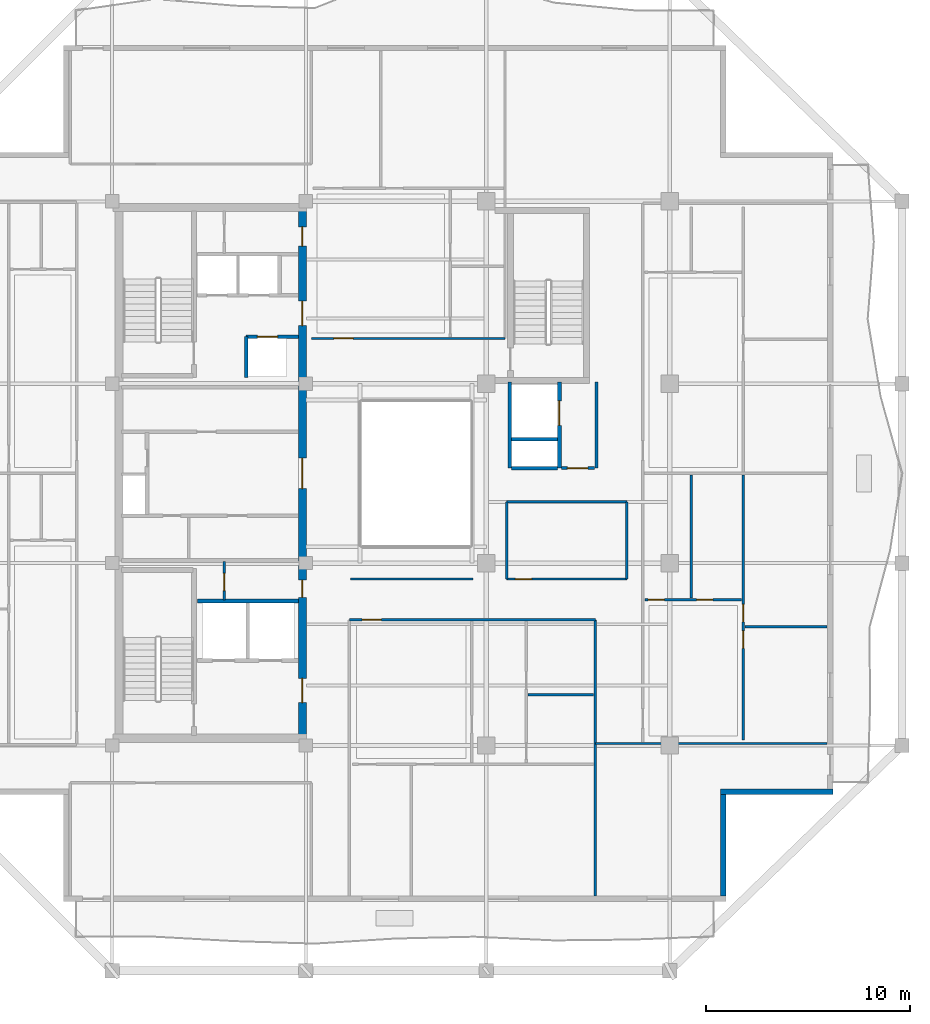
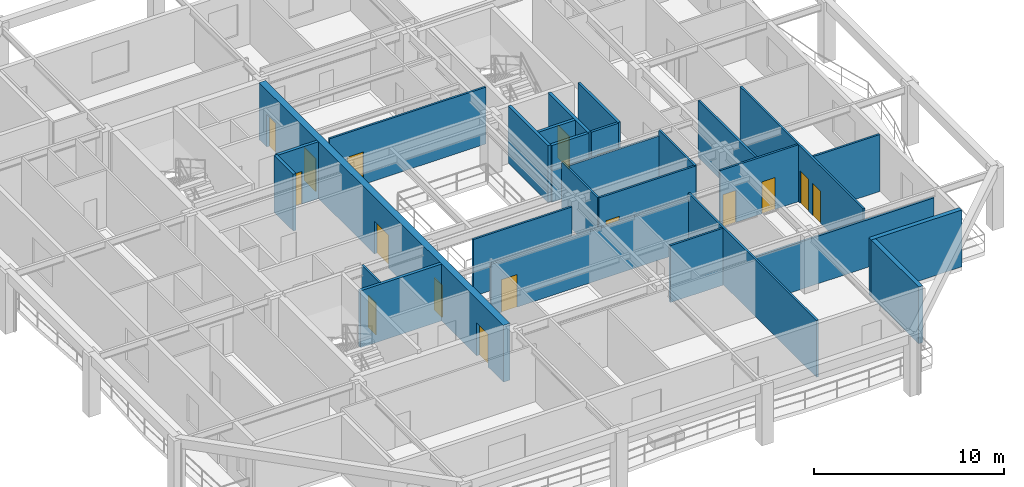
# One storey, part 4 of 11: 27 walls, 16 doors, 16 openings.
"""IFC4 building model written with IfcOpenShell, lengths in metres."""

from ifc_helpers import new_model, si_unit, direction, frame, frame_2d, origin, place, context, subcontext, project, spatial, rectangle, extrude, material, layer, layer_set, type_object, element, fill, save


model = new_model("IFC4")

# Units and contexts
model_context = context("Model", 3, precision=1e-05, world=origin(), true_north=direction((0.0, 1.0)))
body_context = subcontext(model_context, "Body", "Model", "MODEL_VIEW")
ifc_project = project(units=[si_unit("LENGTHUNIT", "METRE"), si_unit("AREAUNIT", "SQUARE_METRE"), si_unit("VOLUMEUNIT", "CUBIC_METRE"), si_unit("PLANEANGLEUNIT", "RADIAN"), si_unit("MASSUNIT", "GRAM", prefix="KILO")], contexts=[model_context])

# Site, building, storey
site_placement = place(None, origin())
site = spatial("IfcSite", under=ifc_project, at=site_placement, CompositionType="ELEMENT")
building_placement = place(site_placement, origin())
building = spatial("IfcBuilding", under=site, at=building_placement, Name="Kundavana Baori Tower", CompositionType="ELEMENT")
storey_placement = place(building_placement, frame((0.0, 0.0, 218.0)))
storey = spatial("IfcBuildingStorey", under=building, at=storey_placement, Name="L53", CompositionType="ELEMENT", Elevation=218.0)

# Wall, openings, doors
ifc_material_1 = material(Name="Concrete C50/60", Category="concrete")
ifc_layer_1 = layer(ifc_material_1, 0.39990234375, Name="WL-CORE-400")
ifc_layer_set_1 = layer_set([ifc_layer_1], Name="Concrete C50/60")
wall_type_1 = type_object("IfcWallType", Name="WL-CORE-400", PredefinedType="SHEAR", material=ifc_layer_set_1)
wall_1_placement = place(storey_placement, frame((24.780029296875, 15.739990234375, 0.0), z_axis=(0.0, 0.0, 1.0), x_axis=(0.0, 1.0, 0.0)))
wall_1 = element("IfcWall", 1, at=wall_1_placement, inside=storey, type_object=wall_type_1, Name="L53 Offset Core East Shear Wall", PredefinedType="SHEAR", context=body_context, shape_type="SweptSolid", body=[
    extrude(rectangle(XDim=25.760009765625, YDim=0.39990234375, at=frame_2d((12.8798828125, 0.0))), origin(), (0.0, 0.0, 1.0), 3.659912109375),
])
opening_1_placement = place(wall_1_placement, frame((1.610107421875, 0.0, 0.0)))
opening_1 = element("IfcOpeningElement", 2, at=opening_1_placement, cuts=wall_1, Name="Opening FD-120", PredefinedType="OPENING", context=body_context, shape_type="SweptSolid", body=[
    extrude(rectangle(XDim=1.199951171875, YDim=2.10009765625, at=frame_2d((0.60009765625, 1.050048828125))), frame((0.0, 0.2099609375, 0.0), z_axis=(0.0, -1.0, 0.0), x_axis=(1.0, 0.0, 0.0)), (0.0, 0.0, 1.0), 0.419921875),
])
opening_2_placement = place(wall_1_placement, frame((6.780029296875, 0.0, 0.0)))
opening_2 = element("IfcOpeningElement", 3, at=opening_2_placement, cuts=wall_1, Name="Opening FD-085", PredefinedType="OPENING", context=body_context, shape_type="SweptSolid", body=[
    extrude(rectangle(XDim=0.85009765625, YDim=2.06005859375, at=frame_2d((0.425048828125, 1.030029296875))), frame((0.0, 0.2099609375, 0.0), z_axis=(0.0, -1.0, 0.0), x_axis=(1.0, 0.0, 0.0)), (0.0, 0.0, 1.0), 0.419921875),
])
opening_3_placement = place(wall_1_placement, frame((12.110107421875, 0.0, 0.0)))
opening_3 = element("IfcOpeningElement", 4, at=opening_3_placement, cuts=wall_1, Name="Opening FD-150", PredefinedType="OPENING", context=body_context, shape_type="SweptSolid", body=[
    extrude(rectangle(XDim=1.5, YDim=2.1201171875, at=frame_2d((0.75, 1.06005859375))), frame((0.0, 0.2099609375, 0.0), z_axis=(0.0, -1.0, 0.0), x_axis=(1.0, 0.0, 0.0)), (0.0, 0.0, 1.0), 0.419921875),
])
opening_4_placement = place(wall_1_placement, frame((20.110107421875, 0.0, 0.0)))
opening_4 = element("IfcOpeningElement", 5, at=opening_4_placement, cuts=wall_1, Name="Opening FD-122", PredefinedType="OPENING", context=body_context, shape_type="SweptSolid", body=[
    extrude(rectangle(XDim=1.199951171875, YDim=2.1201171875, at=frame_2d((0.60009765625, 1.06005859375))), frame((0.0, 0.2099609375, 0.0), z_axis=(0.0, -1.0, 0.0), x_axis=(1.0, 0.0, 0.0)), (0.0, 0.0, 1.0), 0.419921875),
])
opening_5_placement = place(wall_1_placement, frame((24.010009765625, 0.0, 0.0)))
opening_5 = element("IfcOpeningElement", 6, at=opening_5_placement, cuts=wall_1, Name="Opening FD-095", PredefinedType="OPENING", context=body_context, shape_type="SweptSolid", body=[
    extrude(rectangle(XDim=0.949951171875, YDim=2.10009765625, at=frame_2d((0.47509765625, 1.050048828125))), frame((0.0, 0.2099609375, 0.0), z_axis=(0.0, -1.0, 0.0), x_axis=(1.0, 0.0, 0.0)), (0.0, 0.0, 1.0), 0.419921875),
])
ifc_material_2 = material(Name="Galvanised Steel Fire-Rated Door Leaf", Category="steel")
door_type_1 = type_object("IfcDoorType", Name="DR-FD120-1200", OperationType="NOTDEFINED", PredefinedType="DOOR", material=ifc_material_2)
door_1_placement = place(opening_1_placement, frame((1.199951171875, 0.0, 0.0), z_axis=(0.0, 0.0, 1.0), x_axis=(-1.0, 0.0, 0.0)))
door_1 = element("IfcDoor", 7, at=door_1_placement, inside=storey, type_object=door_type_1, Name="DR-L53-FFLOB-E", OperationType="SINGLE_SWING_RIGHT", OverallHeight=2.10009765625, OverallWidth=1.199951171875, PredefinedType="DOOR", context=body_context, shape_type="SweptSolid", body=[
    extrude(rectangle(XDim=1.199951171875, YDim=2.10009765625, at=frame_2d((0.60009765625, 1.050048828125))), frame((0.0, 0.02490234375, 0.0), z_axis=(0.0, -1.0, 0.0), x_axis=(1.0, 0.0, 0.0)), (0.0, 0.0, 1.0), 0.050048828125),
])
fill(opening_1, door_1)
ifc_material_3 = material(Name="Galvanised Steel Fire-Rated Door Leaf", Category="steel")
door_type_2 = type_object("IfcDoorType", Name="DR-FD60-1200", OperationType="NOTDEFINED", PredefinedType="DOOR", material=ifc_material_3)
door_2_placement = place(opening_4_placement, frame((1.199951171875, 0.0, 0.0), z_axis=(0.0, 0.0, 1.0), x_axis=(-1.0, 0.0, 0.0)))
door_2 = element("IfcDoor", 8, at=door_2_placement, inside=storey, type_object=door_type_2, Name="DR-L53-HRLOB-E", OperationType="SINGLE_SWING_RIGHT", OverallHeight=2.1201171875, OverallWidth=1.199951171875, PredefinedType="DOOR", context=body_context, shape_type="SweptSolid", body=[
    extrude(rectangle(XDim=1.199951171875, YDim=2.1201171875, at=frame_2d((0.60009765625, 1.06005859375))), frame((0.0, 0.02490234375, 0.0), z_axis=(0.0, -1.0, 0.0), x_axis=(1.0, 0.0, 0.0)), (0.0, 0.0, 1.0), 0.050048828125),
])
fill(opening_4, door_2)
ifc_material_4 = material(Name="Galvanised Steel Fire-Rated Door Leaf", Category="steel")
door_type_3 = type_object("IfcDoorType", Name="DR-FD60-1500", OperationType="NOTDEFINED", PredefinedType="DOOR", material=ifc_material_4)
door_3_placement = place(opening_3_placement, frame((1.5, 0.0, 0.0), z_axis=(0.0, 0.0, 1.0), x_axis=(-1.0, 0.0, 0.0)))
door_3 = element("IfcDoor", 9, at=door_3_placement, inside=storey, type_object=door_type_3, Name="DR-L53-LIFTHALL-E", OperationType="SINGLE_SWING_LEFT", OverallHeight=2.1201171875, OverallWidth=1.5, PredefinedType="DOOR", context=body_context, shape_type="SweptSolid", body=[
    extrude(rectangle(XDim=1.5, YDim=2.1201171875, at=frame_2d((0.75, 1.06005859375))), frame((0.0, 0.02490234375, 0.0), z_axis=(0.0, -1.0, 0.0), x_axis=(1.0, 0.0, 0.0)), (0.0, 0.0, 1.0), 0.050048828125),
])
fill(opening_3, door_3)
ifc_material_5 = material(Name="Galvanised Steel Fire-Rated Door Leaf", Category="steel")
door_type_4 = type_object("IfcDoorType", Name="DR-FD60-850", OperationType="NOTDEFINED", PredefinedType="DOOR", material=ifc_material_5)
door_4_placement = place(opening_2_placement, frame((0.85009765625, 0.0, 0.0), z_axis=(0.0, 0.0, 1.0), x_axis=(-1.0, 0.0, 0.0)))
door_4 = element("IfcDoor", 10, at=door_4_placement, inside=storey, type_object=door_type_4, Name="DR-L53-CSMK2", OperationType="SINGLE_SWING_LEFT", OverallHeight=2.06005859375, OverallWidth=0.85009765625, PredefinedType="DOOR", context=body_context, shape_type="SweptSolid", body=[
    extrude(rectangle(XDim=0.85009765625, YDim=2.06005859375, at=frame_2d((0.425048828125, 1.030029296875))), frame((0.0, 0.02490234375, 0.0), z_axis=(0.0, -1.0, 0.0), x_axis=(1.0, 0.0, 0.0)), (0.0, 0.0, 1.0), 0.050048828125),
])
fill(opening_2, door_4)
ifc_material_6 = material(Name="Engineered Teak Fire-Rated Timber Door Leaf", Category="wood")
door_type_5 = type_object("IfcDoorType", Name="DR-FD60-950", OperationType="NOTDEFINED", PredefinedType="DOOR", material=ifc_material_6)
door_5_placement = place(opening_5_placement, frame((0.949951171875, 0.0, 0.0), z_axis=(0.0, 0.0, 1.0), x_axis=(-1.0, 0.0, 0.0)))
door_5 = element("IfcDoor", 11, at=door_5_placement, inside=storey, type_object=door_type_5, Name="DR-L53-CSRV2", OperationType="SINGLE_SWING_LEFT", OverallHeight=2.10009765625, OverallWidth=0.949951171875, PredefinedType="DOOR", context=body_context, shape_type="SweptSolid", body=[
    extrude(rectangle(XDim=0.949951171875, YDim=2.10009765625, at=frame_2d((0.47509765625, 1.050048828125))), frame((0.0, 0.02490234375, 0.0), z_axis=(0.0, -1.0, 0.0), x_axis=(1.0, 0.0, 0.0)), (0.0, 0.0, 1.0), 0.050048828125),
])
fill(opening_5, door_5)

# Walls
ifc_material_7 = material(Name="Kiln-Fired Terracotta Brick-Slip Masonry on Concrete C40/50", Category="masonry")
ifc_layer_2 = layer(ifc_material_7, 0.260009765625, Name="WL-EXT-BRK-260")
ifc_layer_set_2 = layer_set([ifc_layer_2], Name="Kiln-Fired Terracotta Brick-Slip Masonry on Concrete C40/50")
wall_type_2 = type_object("IfcWallType", Name="WL-EXT-BRK-260", PredefinedType="SOLIDWALL", material=ifc_layer_set_2)
wall_2_placement = place(storey_placement, frame((45.419921875, 7.860107421875, 0.0), z_axis=(0.0, 0.0, 1.0), x_axis=(0.0, 1.0, 0.0)))
element("IfcWall", 12, at=wall_2_placement, inside=storey, type_object=wall_type_2, Name="L53 Exterior Insulated Facade Wall 02", PredefinedType="SOLIDWALL", context=body_context, shape_type="SweptSolid", body=[
    extrude(rectangle(XDim=4.989990234375, YDim=0.260009765625, at=frame_2d((2.4951171875, 0.0))), origin(), (0.0, 0.0, 1.0), 3.659912109375),
])
wall_3_placement = place(storey_placement, frame((45.2900390625, 12.97998046875, 0.0), z_axis=(0.0, 0.0, 1.0), x_axis=(1.0, 0.0, 0.0)))
element("IfcWall", 13, at=wall_3_placement, inside=storey, type_object=wall_type_2, Name="L53 Exterior Insulated Facade Wall 03", PredefinedType="SOLIDWALL", context=body_context, shape_type="SweptSolid", body=[
    extrude(rectangle(XDim=5.510009765625, YDim=0.260009765625, at=frame_2d((2.7548828125, 0.0))), origin(), (0.0, 0.0, 1.0), 3.659912109375),
])

# Wall, opening, door
ifc_material_8 = material(Name="Acoustic Gypsum Plasterboard on Galvanised Steel Studs", Category="steel")
ifc_layer_3 = layer(ifc_material_8, 0.1201171875, Name="WL-PART-120")
ifc_layer_set_3 = layer_set([ifc_layer_3], Name="Acoustic Gypsum Plasterboard on Galvanised Steel Studs")
wall_type_3 = type_object("IfcWallType", Name="WL-PART-120", PredefinedType="PARTITIONING", material=ifc_layer_set_3)
wall_4_placement = place(storey_placement, frame((20.949951171875, 22.39990234375, 0.0), z_axis=(0.0, 0.0, 1.0), x_axis=(0.0, 1.0, 0.0)))
wall_4 = element("IfcWall", 14, at=wall_4_placement, inside=storey, type_object=wall_type_3, Name="WL-L53-CSMK-D2", PredefinedType="PARTITIONING", context=body_context, shape_type="SweptSolid", body=[
    extrude(rectangle(XDim=1.880126953125, YDim=0.1201171875, at=frame_2d((0.93994140625, 0.0))), origin(), (0.0, 0.0, 1.0), 3.659912109375),
])
opening_6_placement = place(wall_4_placement, frame((0.449951171875, 0.0, 0.0)))
opening_6 = element("IfcOpeningElement", 15, at=opening_6_placement, cuts=wall_4, Name="Opening FD-085", PredefinedType="OPENING", context=body_context, shape_type="SweptSolid", body=[
    extrude(rectangle(XDim=0.85009765625, YDim=2.06005859375, at=frame_2d((0.425048828125, 1.030029296875))), frame((0.0, 0.070068359375, 0.0), z_axis=(0.0, -1.0, 0.0), x_axis=(1.0, 0.0, 0.0)), (0.0, 0.0, 1.0), 0.14013671875),
])
door_6_placement = place(opening_6_placement, origin())
door_6 = element("IfcDoor", 16, at=door_6_placement, inside=storey, type_object=door_type_4, Name="DR-L53-CSMK1", OperationType="SINGLE_SWING_RIGHT", OverallHeight=2.06005859375, OverallWidth=0.85009765625, PredefinedType="DOOR", context=body_context, shape_type="SweptSolid", body=[
    extrude(rectangle(XDim=0.85009765625, YDim=2.06005859375, at=frame_2d((0.425048828125, 1.030029296875))), frame((0.0, 0.02490234375, 0.0), z_axis=(0.0, -1.0, 0.0), x_axis=(1.0, 0.0, 0.0)), (0.0, 0.0, 1.0), 0.050048828125),
])
fill(opening_6, door_6)

wall_5_placement = place(storey_placement, frame((27.080078125, 21.419921875, 0.0), z_axis=(0.0, 0.0, 1.0), x_axis=(1.0, 0.0, 0.0)))
wall_5 = element("IfcWall", 17, at=wall_5_placement, inside=storey, type_object=wall_type_3, Name="WL-L53-RS", PredefinedType="PARTITIONING", context=body_context, shape_type="SweptSolid", body=[
    extrude(rectangle(XDim=12.06982421875, YDim=0.1201171875, at=frame_2d((6.034912109375, 0.0))), origin(), (0.0, 0.0, 1.0), 3.31005859375),
])
opening_7_placement = place(wall_5_placement, frame((0.6298828125, 0.0, 0.0)))
opening_7 = element("IfcOpeningElement", 18, at=opening_7_placement, cuts=wall_5, Name="Opening FD-095", PredefinedType="OPENING", context=body_context, shape_type="SweptSolid", body=[
    extrude(rectangle(XDim=0.949951171875, YDim=2.10009765625, at=frame_2d((0.47509765625, 1.050048828125))), frame((0.0, 0.070068359375, 0.0), z_axis=(0.0, -1.0, 0.0), x_axis=(1.0, 0.0, 0.0)), (0.0, 0.0, 1.0), 0.14013671875),
])
door_7_placement = place(opening_7_placement, frame((0.949951171875, 0.0, 0.0), z_axis=(0.0, 0.0, 1.0), x_axis=(-1.0, 0.0, 0.0)))
door_7 = element("IfcDoor", 19, at=door_7_placement, inside=storey, type_object=door_type_5, Name="DR-L53-S1-ENT", OperationType="SINGLE_SWING_RIGHT", OverallHeight=2.10009765625, OverallWidth=0.949951171875, PredefinedType="DOOR", context=body_context, shape_type="SweptSolid", body=[
    extrude(rectangle(XDim=0.949951171875, YDim=2.10009765625, at=frame_2d((0.47509765625, 1.050048828125))), frame((0.0, 0.02490234375, 0.0), z_axis=(0.0, -1.0, 0.0), x_axis=(1.0, 0.0, 0.0)), (0.0, 0.0, 1.0), 0.050048828125),
])
fill(opening_7, door_7)

# Wall
wall_6_placement = place(storey_placement, frame((27.14990234375, 23.419921875, 0.0), z_axis=(0.0, 0.0, 1.0), x_axis=(1.0, 0.0, 0.0)))
element("IfcWall", 20, at=wall_6_placement, inside=storey, type_object=wall_type_3, Name="WL-L53-RST", PredefinedType="PARTITIONING", context=body_context, shape_type="SweptSolid", body=[
    extrude(rectangle(XDim=6.0, YDim=0.1201171875, at=frame_2d((3.0, 0.0))), origin(), (0.0, 0.0, 1.0), 3.659912109375),
])

# Wall, opening, door
wall_7_placement = place(storey_placement, frame((25.219970703125, 35.219970703125, 0.0), z_axis=(0.0, 0.0, 1.0), x_axis=(1.0, 0.0, 0.0)))
wall_7 = element("IfcWall", 21, at=wall_7_placement, inside=storey, type_object=wall_type_3, Name="WL-L53-RN", PredefinedType="PARTITIONING", context=body_context, shape_type="SweptSolid", body=[
    extrude(rectangle(XDim=9.5, YDim=0.1201171875, at=frame_2d((4.75, 0.0))), origin(), (0.0, 0.0, 1.0), 3.659912109375),
])
opening_8_placement = place(wall_7_placement, frame((1.10009765625, 0.0, 0.0)))
opening_8 = element("IfcOpeningElement", 22, at=opening_8_placement, cuts=wall_7, Name="Opening FD-095", PredefinedType="OPENING", context=body_context, shape_type="SweptSolid", body=[
    extrude(rectangle(XDim=0.949951171875, YDim=2.10009765625, at=frame_2d((0.47509765625, 1.050048828125))), frame((0.0, 0.070068359375, 0.0), z_axis=(0.0, -1.0, 0.0), x_axis=(1.0, 0.0, 0.0)), (0.0, 0.0, 1.0), 0.14013671875),
])
door_8_placement = place(opening_8_placement, origin())
door_8 = element("IfcDoor", 23, at=door_8_placement, inside=storey, type_object=door_type_5, Name="DR-L53-N1-ENT", OperationType="SINGLE_SWING_LEFT", OverallHeight=2.10009765625, OverallWidth=0.949951171875, PredefinedType="DOOR", context=body_context, shape_type="SweptSolid", body=[
    extrude(rectangle(XDim=0.949951171875, YDim=2.10009765625, at=frame_2d((0.47509765625, 1.050048828125))), frame((0.0, 0.02490234375, 0.0), z_axis=(0.0, -1.0, 0.0), x_axis=(1.0, 0.0, 0.0)), (0.0, 0.0, 1.0), 0.050048828125),
])
fill(opening_8, door_8)

# Walls
wall_8_placement = place(storey_placement, frame((39.14990234375, 7.8798828125, 0.0), z_axis=(0.0, 0.0, 1.0), x_axis=(0.0, 1.0, 0.0)))
element("IfcWall", 24, at=wall_8_placement, inside=storey, type_object=wall_type_3, Name="WL-L53-RSEND", PredefinedType="PARTITIONING", context=body_context, shape_type="SweptSolid", body=[
    extrude(rectangle(XDim=13.5400390625, YDim=0.1201171875, at=frame_2d((6.77001953125, 0.0))), origin(), (0.0, 0.0, 1.0), 3.659912109375),
])
wall_9_placement = place(storey_placement, frame((39.14990234375, 15.35009765625, 0.0), z_axis=(0.0, 0.0, 1.0), x_axis=(1.0, 0.0, 0.0)))
element("IfcWall", 25, at=wall_9_placement, inside=storey, type_object=wall_type_3, Name="WL-L53-RES", PredefinedType="PARTITIONING", context=body_context, shape_type="SweptSolid", body=[
    extrude(rectangle(XDim=11.3701171875, YDim=0.1201171875, at=frame_2d((5.68505859375, 0.0))), origin(), (0.0, 0.0, 1.0), 3.06005859375),
])

# Wall, openings, doors
wall_10_placement = place(storey_placement, frame((46.407958984375, 15.530029296875, 0.0), z_axis=(0.0, 0.0, 1.0), x_axis=(0.0, 1.0, 0.0)))
wall_10 = element("IfcWall", 26, at=wall_10_placement, inside=storey, type_object=wall_type_3, Name="WL-L53-E1-VT", PredefinedType="PARTITIONING", context=body_context, shape_type="SweptSolid", body=[
    extrude(rectangle(XDim=12.989990234375, YDim=0.1201171875, at=frame_2d((6.4951171875, 0.0))), origin(), (0.0, 0.0, 1.0), 3.659912109375),
])
opening_9_placement = place(wall_10_placement, frame((4.489990234375, 0.0, 0.0)))
opening_9 = element("IfcOpeningElement", 27, at=opening_9_placement, cuts=wall_10, Name="Opening ID-085", PredefinedType="OPENING", context=body_context, shape_type="SweptSolid", body=[
    extrude(rectangle(XDim=0.85009765625, YDim=2.080078125, at=frame_2d((0.425048828125, 1.0400390625))), frame((0.0, 0.070068359375, 0.0), z_axis=(0.0, -1.0, 0.0), x_axis=(1.0, 0.0, 0.0)), (0.0, 0.0, 1.0), 0.14013671875),
])
opening_10_placement = place(wall_10_placement, frame((5.7900390625, 0.0, 0.0)))
opening_10 = element("IfcOpeningElement", 28, at=opening_10_placement, cuts=wall_10, Name="Opening ID-085", PredefinedType="OPENING", context=body_context, shape_type="SweptSolid", body=[
    extrude(rectangle(XDim=0.85009765625, YDim=2.080078125, at=frame_2d((0.425048828125, 1.0400390625))), frame((0.0, 0.070068359375, 0.0), z_axis=(0.0, -1.0, 0.0), x_axis=(1.0, 0.0, 0.0)), (0.0, 0.0, 1.0), 0.14013671875),
])
ifc_material_9 = material(Name="Engineered Teak Solid-Core Timber Veneer", Category="wood")
door_type_6 = type_object("IfcDoorType", Name="DR-INT-850", OperationType="NOTDEFINED", PredefinedType="DOOR", material=ifc_material_9)
door_9_placement = place(opening_9_placement, origin())
door_9 = element("IfcDoor", 29, at=door_9_placement, inside=storey, type_object=door_type_6, Name="DR-L53-E1-B1", OperationType="SINGLE_SWING_LEFT", OverallHeight=2.080078125, OverallWidth=0.85009765625, PredefinedType="DOOR", context=body_context, shape_type="SweptSolid", body=[
    extrude(rectangle(XDim=0.85009765625, YDim=2.080078125, at=frame_2d((0.425048828125, 1.0400390625))), frame((0.0, 0.02490234375, 0.0), z_axis=(0.0, -1.0, 0.0), x_axis=(1.0, 0.0, 0.0)), (0.0, 0.0, 1.0), 0.050048828125),
])
fill(opening_9, door_9)
door_10_placement = place(opening_10_placement, origin())
door_10 = element("IfcDoor", 30, at=door_10_placement, inside=storey, type_object=door_type_6, Name="DR-L53-E1-B2", OperationType="SINGLE_SWING_RIGHT", OverallHeight=2.080078125, OverallWidth=0.85009765625, PredefinedType="DOOR", context=body_context, shape_type="SweptSolid", body=[
    extrude(rectangle(XDim=0.85009765625, YDim=2.080078125, at=frame_2d((0.425048828125, 1.0400390625))), frame((0.0, 0.02490234375, 0.0), z_axis=(0.0, -1.0, 0.0), x_axis=(1.0, 0.0, 0.0)), (0.0, 0.0, 1.0), 0.050048828125),
])
fill(opening_10, door_10)

# Wall
wall_11_placement = place(storey_placement, frame((46.488037109375, 21.070068359375, 0.0), z_axis=(0.0, 0.0, 1.0), x_axis=(1.0, 0.0, 0.0)))
element("IfcWall", 31, at=wall_11_placement, inside=storey, type_object=wall_type_3, Name="WL-L53-E1-BDH", PredefinedType="PARTITIONING", context=body_context, shape_type="SweptSolid", body=[
    extrude(rectangle(XDim=4.031982421875, YDim=0.1201171875, at=frame_2d((2.01611328125, 0.0))), origin(), (0.0, 0.0, 1.0), 3.659912109375),
])

# Wall, opening, door
wall_12_placement = place(storey_placement, frame((34.800048828125, 23.419921875, 0.0), z_axis=(0.0, 0.0, 1.0), x_axis=(1.0, 0.0, 0.0)))
wall_12 = element("IfcWall", 32, at=wall_12_placement, inside=storey, type_object=wall_type_3, Name="WL-L53-ALS", PredefinedType="PARTITIONING", context=body_context, shape_type="SweptSolid", body=[
    extrude(rectangle(XDim=5.89990234375, YDim=0.1201171875, at=frame_2d((2.949951171875, 0.0))), origin(), (0.0, 0.0, 1.0), 3.659912109375),
])
opening_11_placement = place(wall_12_placement, frame((0.429931640625, 0.0, 0.0)))
opening_11 = element("IfcOpeningElement", 33, at=opening_11_placement, cuts=wall_12, Name="Opening WD-080", PredefinedType="OPENING", context=body_context, shape_type="SweptSolid", body=[
    extrude(rectangle(XDim=0.800048828125, YDim=2.050048828125, at=frame_2d((0.39990234375, 1.02490234375))), frame((0.0, 0.070068359375, 0.0), z_axis=(0.0, -1.0, 0.0), x_axis=(1.0, 0.0, 0.0)), (0.0, 0.0, 1.0), 0.14013671875),
])
ifc_material_10 = material(Name="Engineered Teak Solid-Core Timber Veneer", Category="wood")
door_type_7 = type_object("IfcDoorType", Name="DR-WET-800", OperationType="NOTDEFINED", PredefinedType="DOOR", material=ifc_material_10)
door_11_placement = place(opening_11_placement, origin())
door_11 = element("IfcDoor", 34, at=door_11_placement, inside=storey, type_object=door_type_7, Name="DR-L53-RALC1", OperationType="SINGLE_SWING_LEFT", OverallHeight=2.050048828125, OverallWidth=0.800048828125, PredefinedType="DOOR", context=body_context, shape_type="SweptSolid", body=[
    extrude(rectangle(XDim=0.800048828125, YDim=2.050048828125, at=frame_2d((0.39990234375, 1.02490234375))), frame((0.0, 0.02490234375, 0.0), z_axis=(0.0, -1.0, 0.0), x_axis=(1.0, 0.0, 0.0)), (0.0, 0.0, 1.0), 0.050048828125),
])
fill(opening_11, door_11)

# Walls
wall_13_placement = place(storey_placement, frame((34.800048828125, 27.199951171875, 0.0), z_axis=(0.0, 0.0, 1.0), x_axis=(1.0, 0.0, 0.0)))
element("IfcWall", 35, at=wall_13_placement, inside=storey, type_object=wall_type_3, Name="WL-L53-ALN", PredefinedType="PARTITIONING", context=body_context, shape_type="SweptSolid", body=[
    extrude(rectangle(XDim=5.89990234375, YDim=0.1201171875, at=frame_2d((2.949951171875, 0.0))), origin(), (0.0, 0.0, 1.0), 3.31005859375),
])
for number, where, z_axis, x_axis, name in (
    (36, (34.800048828125, 23.419921875, 0.0), (0.0, 0.0, 1.0), (0.0, 1.0, 0.0), "WL-L53-ALW"),
    (37, (40.699951171875, 23.419921875, 0.0), (0.0, 0.0, 1.0), (0.0, 1.0, 0.0), "WL-L53-ALE"),
):
    element("IfcWall", number, at=place(storey_placement, frame(where, z_axis=z_axis, x_axis=x_axis)), inside=storey, type_object=wall_type_3, Name=name, PredefinedType="PARTITIONING", context=body_context, shape_type="SweptSolid", body=[
        extrude(rectangle(XDim=3.780029296875, YDim=0.1201171875, at=frame_2d((1.89013671875, 0.0))), origin(), (0.0, 0.0, 1.0), 3.659912109375),
    ])
ifc_material_11 = material(Name="Fire-Rated Gypsum Drywall on Galvanised Steel Studs", Category="steel")
ifc_layer_4 = layer(ifc_material_11, 0.14990234375, Name="WL-PART-150")
ifc_layer_set_4 = layer_set([ifc_layer_4], Name="Fire-Rated Gypsum Drywall on Galvanised Steel Studs")
wall_type_4 = type_object("IfcWallType", Name="WL-PART-150", PredefinedType="PARTITIONING", material=ifc_layer_set_4)
wall_14_placement = place(storey_placement, frame((39.199951171875, 28.860107421875, 0.0), z_axis=(0.0, 0.0, 1.0), x_axis=(0.0, 1.0, 0.0)))
element("IfcWall", 38, at=wall_14_placement, inside=storey, type_object=wall_type_4, Name="WL-L53-SVLOB-E", PredefinedType="PARTITIONING", context=body_context, shape_type="SweptSolid", body=[
    extrude(rectangle(XDim=4.219970703125, YDim=0.14990234375, at=frame_2d((2.10986328125, 0.0))), origin(), (0.0, 0.0, 1.0), 3.659912109375),
])

# Wall, opening, door
wall_15_placement = place(storey_placement, frame((37.47998046875, 28.860107421875, 0.0), z_axis=(0.0, 0.0, 1.0), x_axis=(1.0, 0.0, 0.0)))
wall_15 = element("IfcWall", 39, at=wall_15_placement, inside=storey, type_object=wall_type_4, Name="WL-L53-SVLOB-S", PredefinedType="PARTITIONING", context=body_context, shape_type="SweptSolid", body=[
    extrude(rectangle(XDim=1.64013671875, YDim=0.14990234375, at=frame_2d((0.820068359375, 0.0))), origin(), (0.0, 0.0, 1.0), 3.659912109375),
])
opening_12_placement = place(wall_15_placement, frame((0.300048828125, 0.0, 0.0)))
opening_12 = element("IfcOpeningElement", 40, at=opening_12_placement, cuts=wall_15, Name="Opening FD-100", PredefinedType="OPENING", context=body_context, shape_type="SweptSolid", body=[
    extrude(rectangle(XDim=1.0, YDim=2.10009765625, at=frame_2d((0.5, 1.050048828125))), frame((0.0, 0.0849609375, 0.0), z_axis=(0.0, -1.0, 0.0), x_axis=(1.0, 0.0, 0.0)), (0.0, 0.0, 1.0), 0.169921875),
])
ifc_material_12 = material(Name="Engineered Teak Fire-Rated Timber Door Leaf", Category="wood")
door_type_8 = type_object("IfcDoorType", Name="DR-FD60-1000", OperationType="NOTDEFINED", PredefinedType="DOOR", material=ifc_material_12)
door_12_placement = place(opening_12_placement, origin())
door_12 = element("IfcDoor", 41, at=door_12_placement, inside=storey, type_object=door_type_8, Name="DR-L53-SVLOB-OUT", OperationType="SINGLE_SWING_LEFT", OverallHeight=2.10009765625, OverallWidth=1.0, PredefinedType="DOOR", context=body_context, shape_type="SweptSolid", body=[
    extrude(rectangle(XDim=1.0, YDim=2.10009765625, at=frame_2d((0.5, 1.050048828125))), frame((0.0, 0.02490234375, 0.0), z_axis=(0.0, -1.0, 0.0), x_axis=(1.0, 0.0, 0.0)), (0.0, 0.0, 1.0), 0.050048828125),
])
fill(opening_12, door_12)

# Wall
ifc_material_13 = material(Name="Autoclaved Aerated Concrete Blockwork Masonry", Category="masonry")
ifc_layer_5 = layer(ifc_material_13, 0.179931640625, Name="WL-SHAFT-180")
ifc_layer_set_5 = layer_set([ifc_layer_5], Name="Autoclaved Aerated Concrete Blockwork Masonry")
wall_type_5 = type_object("IfcWallType", Name="WL-SHAFT-180", PredefinedType="SOLIDWALL", material=ifc_layer_set_5)
wall_16_placement = place(storey_placement, frame((19.639892578125, 22.340087890625, 0.0), z_axis=(0.0, 0.0, 1.0), x_axis=(1.0, 0.0, 0.0)))
element("IfcWall", 42, at=wall_16_placement, inside=storey, type_object=wall_type_5, Name="WL-L53-FFL-N", PredefinedType="SOLIDWALL", context=body_context, shape_type="SweptSolid", body=[
    extrude(rectangle(XDim=4.940185546875, YDim=0.179931640625, at=frame_2d((2.47021484375, 0.0))), origin(), (0.0, 0.0, 1.0), 3.659912109375),
])

# Wall, opening, door
wall_17_placement = place(storey_placement, frame((22.02001953125, 35.31005859375, 0.0), z_axis=(0.0, 0.0, 1.0), x_axis=(1.0, 0.0, 0.0)))
wall_17 = element("IfcWall", 43, at=wall_17_placement, inside=storey, type_object=wall_type_5, Name="WL-L53-LP11-N", PredefinedType="SOLIDWALL", context=body_context, shape_type="SweptSolid", body=[
    extrude(rectangle(XDim=2.56005859375, YDim=0.179931640625, at=frame_2d((1.280029296875, 0.0))), origin(), (0.0, 0.0, 1.0), 3.659912109375),
])
opening_13_placement = place(wall_17_placement, frame((0.550048828125, 0.0, 0.0)))
opening_13 = element("IfcOpeningElement", 44, at=opening_13_placement, cuts=wall_17, Name="Opening LD-100", PredefinedType="OPENING", context=body_context, shape_type="SweptSolid", body=[
    extrude(rectangle(XDim=1.0, YDim=2.10009765625, at=frame_2d((0.5, 1.050048828125))), frame((0.0, 0.10009765625, 0.0), z_axis=(0.0, -1.0, 0.0), x_axis=(1.0, 0.0, 0.0)), (0.0, 0.0, 1.0), 0.199951171875),
])
ifc_material_14 = material(Name="Galvanised Steel Fire-Rated Door Leaf", Category="steel")
door_type_9 = type_object("IfcDoorType", Name="DR-SLIDE-LD1000", OperationType="NOTDEFINED", PredefinedType="DOOR", material=ifc_material_14)
door_13_placement = place(opening_13_placement, origin())
door_13 = element("IfcDoor", 45, at=door_13_placement, inside=storey, type_object=door_type_9, Name="DR-L53-LD-LP11", OperationType="DOUBLE_DOOR_SLIDING", OverallHeight=2.10009765625, OverallWidth=1.0, PredefinedType="DOOR", context=body_context, shape_type="SweptSolid", body=[
    extrude(rectangle(XDim=1.0, YDim=2.10009765625, at=frame_2d((0.5, 1.050048828125))), frame((0.0, 0.02490234375, 0.0), z_axis=(0.0, -1.0, 0.0), x_axis=(1.0, 0.0, 0.0)), (0.0, 0.0, 1.0), 0.050048828125),
])
fill(opening_13, door_13)

# Walls
wall_18_placement = place(storey_placement, frame((22.02001953125, 33.300048828125, 0.0), z_axis=(0.0, 0.0, 1.0), x_axis=(0.0, 1.0, 0.0)))
element("IfcWall", 46, at=wall_18_placement, inside=storey, type_object=wall_type_5, Name="WL-L53-LP11-W", PredefinedType="SOLIDWALL", context=body_context, shape_type="SweptSolid", body=[
    extrude(rectangle(XDim=2.010009765625, YDim=0.179931640625, at=frame_2d((1.0048828125, 0.0))), origin(), (0.0, 0.0, 1.0), 3.659912109375),
])
wall_19_placement = place(storey_placement, frame((34.9599609375, 28.860107421875, 0.0), z_axis=(0.0, 0.0, 1.0), x_axis=(0.0, 1.0, 0.0)))
element("IfcWall", 47, at=wall_19_placement, inside=storey, type_object=wall_type_5, Name="WL-L53-SVL-W", PredefinedType="SOLIDWALL", context=body_context, shape_type="SweptSolid", body=[
    extrude(rectangle(XDim=4.219970703125, YDim=0.179931640625, at=frame_2d((2.10986328125, 0.0))), origin(), (0.0, 0.0, 1.0), 3.659912109375),
])

# Wall, opening, door
wall_20_placement = place(storey_placement, frame((37.389892578125, 28.860107421875, 0.0), z_axis=(0.0, 0.0, 1.0), x_axis=(0.0, 1.0, 0.0)))
wall_20 = element("IfcWall", 48, at=wall_20_placement, inside=storey, type_object=wall_type_5, Name="WL-L53-SVL-E", PredefinedType="SOLIDWALL", context=body_context, shape_type="SweptSolid", body=[
    extrude(rectangle(XDim=4.219970703125, YDim=0.179931640625, at=frame_2d((2.10986328125, 0.0))), origin(), (0.0, 0.0, 1.0), 3.659912109375),
])
opening_14_placement = place(wall_20_placement, frame((2.10009765625, 0.0, 0.0)))
opening_14 = element("IfcOpeningElement", 49, at=opening_14_placement, cuts=wall_20, Name="Opening LD-120", PredefinedType="OPENING", context=body_context, shape_type="SweptSolid", body=[
    extrude(rectangle(XDim=1.199951171875, YDim=2.1201171875, at=frame_2d((0.60009765625, 1.06005859375))), frame((0.0, 0.10009765625, 0.0), z_axis=(0.0, -1.0, 0.0), x_axis=(1.0, 0.0, 0.0)), (0.0, 0.0, 1.0), 0.199951171875),
])
ifc_material_15 = material(Name="Galvanised Steel Fire-Rated Door Leaf", Category="steel")
door_type_10 = type_object("IfcDoorType", Name="DR-SLIDE-LD1200", OperationType="NOTDEFINED", PredefinedType="DOOR", material=ifc_material_15)
door_14_placement = place(opening_14_placement, frame((1.199951171875, 0.0, 0.0), z_axis=(0.0, 0.0, 1.0), x_axis=(-1.0, 0.0, 0.0)))
door_14 = element("IfcDoor", 50, at=door_14_placement, inside=storey, type_object=door_type_10, Name="DR-L53-LD-SVL1", OperationType="DOUBLE_DOOR_SLIDING", OverallHeight=2.1201171875, OverallWidth=1.199951171875, PredefinedType="DOOR", context=body_context, shape_type="SweptSolid", body=[
    extrude(rectangle(XDim=1.199951171875, YDim=2.1201171875, at=frame_2d((0.60009765625, 1.06005859375))), frame((0.0, 0.02490234375, 0.0), z_axis=(0.0, -1.0, 0.0), x_axis=(1.0, 0.0, 0.0)), (0.0, 0.0, 1.0), 0.050048828125),
])
fill(opening_14, door_14)

# Walls
for number, where, z_axis, x_axis, name in (
    (51, (35.050048828125, 28.860107421875, 0.0), (0.0, 0.0, 1.0), (1.0, 0.0, 0.0), "WL-L53-SVL-S"),
    (52, (35.050048828125, 30.27001953125, 0.0), (0.0, 0.0, 1.0), (1.0, 0.0, 0.0), "WL-L53-SVL-M"),
):
    element("IfcWall", number, at=place(storey_placement, frame(where, z_axis=z_axis, x_axis=x_axis)), inside=storey, type_object=wall_type_5, Name=name, PredefinedType="SOLIDWALL", context=body_context, shape_type="SweptSolid", body=[
        extrude(rectangle(XDim=2.25, YDim=0.179931640625, at=frame_2d((1.125, 0.0))), origin(), (0.0, 0.0, 1.0), 3.659912109375),
    ])
ifc_material_16 = material(Name="Autoclaved Aerated Concrete Blockwork Masonry", Category="masonry")
ifc_layer_6 = layer(ifc_material_16, 0.125, Name="WL-WET-120")
ifc_layer_set_6 = layer_set([ifc_layer_6], Name="Autoclaved Aerated Concrete Blockwork Masonry")
wall_type_6 = type_object("IfcWallType", Name="WL-WET-120", PredefinedType="PLUMBINGWALL", material=ifc_layer_set_6)
wall_21_placement = place(storey_placement, frame((35.85009765625, 17.741943359375, 0.0), z_axis=(0.0, 0.0, 1.0), x_axis=(1.0, 0.0, 0.0)))
element("IfcWall", 53, at=wall_21_placement, inside=storey, type_object=wall_type_6, Name="WL-L53-S1-BT", PredefinedType="PLUMBINGWALL", context=body_context, shape_type="SweptSolid", body=[
    extrude(rectangle(XDim=3.219970703125, YDim=0.125, at=frame_2d((1.60986328125, 0.0))), origin(), (0.0, 0.0, 1.0), 3.659912109375),
])

# Wall, openings, doors
wall_22_placement = place(storey_placement, frame((41.580078125, 22.39990234375, 0.0), z_axis=(0.0, 0.0, 1.0), x_axis=(1.0, 0.0, 0.0)))
wall_22 = element("IfcWall", 54, at=wall_22_placement, inside=storey, type_object=wall_type_6, Name="WL-L53-E1-KH", PredefinedType="PLUMBINGWALL", context=body_context, shape_type="SweptSolid", body=[
    extrude(rectangle(XDim=4.747802734375, YDim=0.125, at=frame_2d((2.3740234375, 0.0))), origin(), (0.0, 0.0, 1.0), 3.659912109375),
])
opening_15_placement = place(wall_22_placement, frame((0.159912109375, 0.0, 0.0)))
opening_15 = element("IfcOpeningElement", 55, at=opening_15_placement, cuts=wall_22, Name="Opening WD-080", PredefinedType="OPENING", context=body_context, shape_type="SweptSolid", body=[
    extrude(rectangle(XDim=0.800048828125, YDim=2.050048828125, at=frame_2d((0.39990234375, 1.02490234375))), frame((0.0, 0.072509765625, 0.0), z_axis=(0.0, -1.0, 0.0), x_axis=(1.0, 0.0, 0.0)), (0.0, 0.0, 1.0), 0.14501953125),
])
opening_16_placement = place(wall_22_placement, frame((2.5390625, 0.0, 0.0)))
opening_16 = element("IfcOpeningElement", 56, at=opening_16_placement, cuts=wall_22, Name="Opening WD-080", PredefinedType="OPENING", context=body_context, shape_type="SweptSolid", body=[
    extrude(rectangle(XDim=0.800048828125, YDim=2.050048828125, at=frame_2d((0.39990234375, 1.02490234375))), frame((0.0, 0.072509765625, 0.0), z_axis=(0.0, -1.0, 0.0), x_axis=(1.0, 0.0, 0.0)), (0.0, 0.0, 1.0), 0.14501953125),
])
door_15_placement = place(opening_15_placement, origin())
door_15 = element("IfcDoor", 57, at=door_15_placement, inside=storey, type_object=door_type_7, Name="DR-L53-E1-BT", OperationType="SINGLE_SWING_LEFT", OverallHeight=2.050048828125, OverallWidth=0.800048828125, PredefinedType="DOOR", context=body_context, shape_type="SweptSolid", body=[
    extrude(rectangle(XDim=0.800048828125, YDim=2.050048828125, at=frame_2d((0.39990234375, 1.02490234375))), frame((0.0, 0.02490234375, 0.0), z_axis=(0.0, -1.0, 0.0), x_axis=(1.0, 0.0, 0.0)), (0.0, 0.0, 1.0), 0.050048828125),
])
fill(opening_15, door_15)
door_16_placement = place(opening_16_placement, origin())
door_16 = element("IfcDoor", 58, at=door_16_placement, inside=storey, type_object=door_type_7, Name="DR-L53-E1-KT", OperationType="SINGLE_SWING_RIGHT", OverallHeight=2.050048828125, OverallWidth=0.800048828125, PredefinedType="DOOR", context=body_context, shape_type="SweptSolid", body=[
    extrude(rectangle(XDim=0.800048828125, YDim=2.050048828125, at=frame_2d((0.39990234375, 1.02490234375))), frame((0.0, 0.02490234375, 0.0), z_axis=(0.0, -1.0, 0.0), x_axis=(1.0, 0.0, 0.0)), (0.0, 0.0, 1.0), 0.050048828125),
])
fill(opening_16, door_16)

# Wall
wall_23_placement = place(storey_placement, frame((43.85888671875, 22.47998046875, 0.0), z_axis=(0.0, 0.0, 1.0), x_axis=(0.0, 1.0, 0.0)))
element("IfcWall", 59, at=wall_23_placement, inside=storey, type_object=wall_type_6, Name="WL-L53-E1-BV", PredefinedType="PLUMBINGWALL", context=body_context, shape_type="SweptSolid", body=[
    extrude(rectangle(XDim=6.0400390625, YDim=0.125, at=frame_2d((3.02001953125, 0.0))), origin(), (0.0, 0.0, 1.0), 3.659912109375),
])

save(model, "model.ifc")
